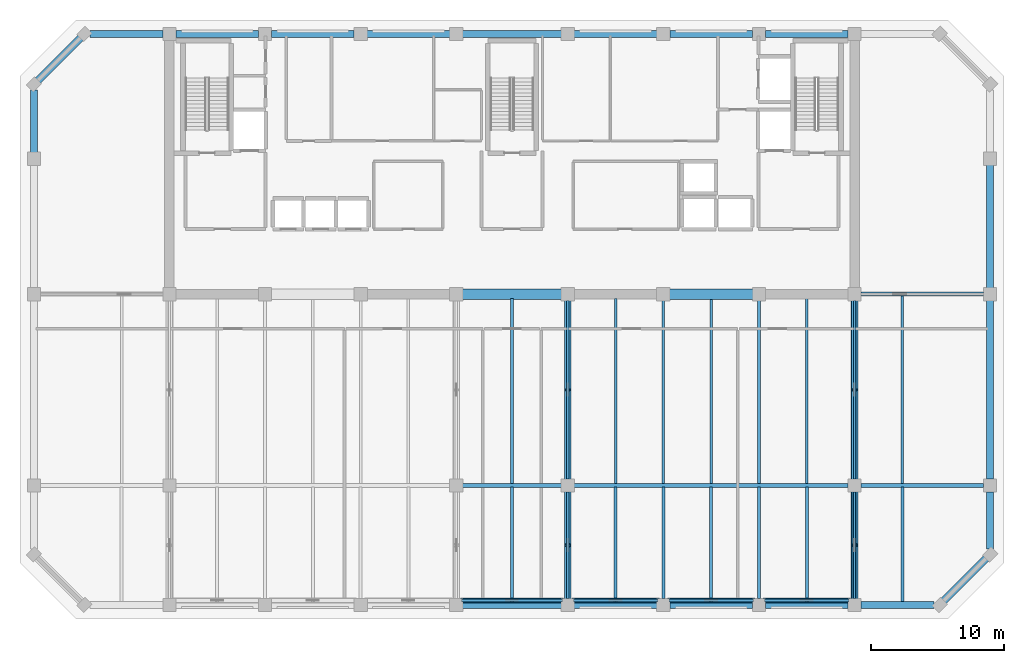
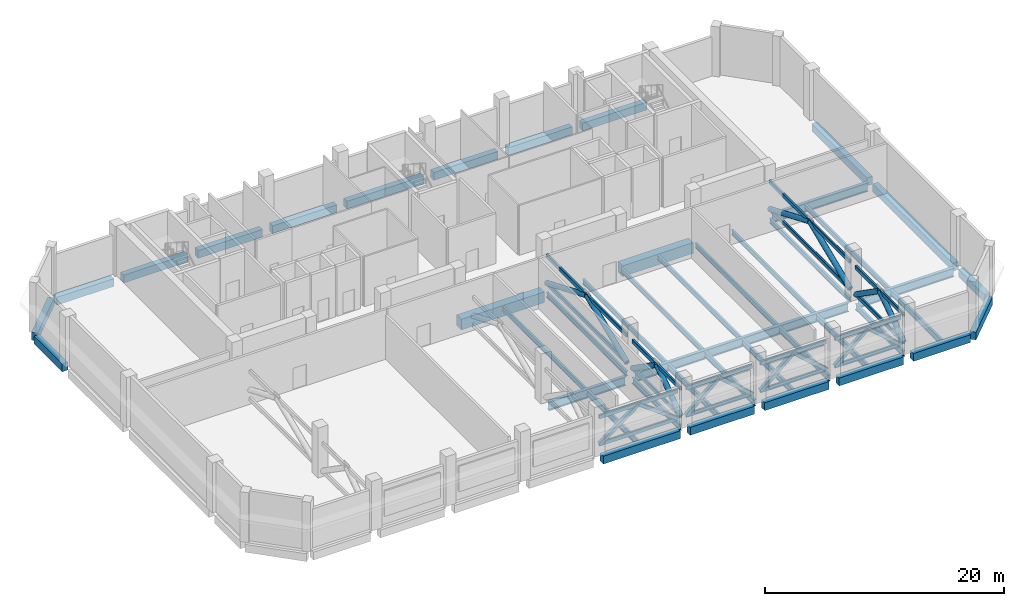
# One storey, part 2 of 11: 43 beams, 32 members.
"""IFC4 building model written with IfcOpenShell, lengths in metres."""

from ifc_helpers import new_model, si_unit, direction, frame, origin, origin_2d, place, context, subcontext, project, spatial, rectangle, hollow_rectangle, hollow_circle, i_section, extrude, material, material_profile, profile_set, type_object, element, save


model = new_model("IFC4")

# Units and contexts
model_context = context("Model", 3, precision=1e-05, world=origin(), true_north=direction((0.0, 1.0)))
body_context = subcontext(model_context, "Body", "Model", "MODEL_VIEW")
ifc_project = project(units=[si_unit("LENGTHUNIT", "METRE"), si_unit("AREAUNIT", "SQUARE_METRE"), si_unit("VOLUMEUNIT", "CUBIC_METRE"), si_unit("PLANEANGLEUNIT", "RADIAN"), si_unit("MASSUNIT", "GRAM", prefix="KILO")], contexts=[model_context])

# Site, building, storey
site_placement = place(None, origin())
site = spatial("IfcSite", under=ifc_project, at=site_placement, CompositionType="ELEMENT")
building_placement = place(site_placement, origin())
building = spatial("IfcBuilding", under=site, at=building_placement, Name="Kaelvorn Grand Hotel", CompositionType="ELEMENT")
storey_placement = place(building_placement, frame((0.0, 0.0, 280.5)))
storey = spatial("IfcBuildingStorey", under=building, at=storey_placement, Name="L69", CompositionType="ELEMENT", Elevation=280.5)

# Beams
ifc_material_1 = material(Name="Steel S460", Category="steel")
ifc_material_profile_1 = material_profile(ifc_material_1, i_section(OverallWidth=0.302001953125, OverallDepth=0.909912109375, WebThickness=0.02099609375, FlangeThickness=0.0400390625, FilletRadius=0.030029296875, at=origin_2d()), Name="HEM 900")
ifc_profile_set_1 = profile_set([ifc_material_profile_1], Name="Steel S460")
beam_type_1 = type_object("IfcBeamType", Name="BM-G-HEM900-S460", PredefinedType="BEAM", material=ifc_profile_set_1)
beam_1_placement = place(storey_placement, frame((38.284912109375, 15.0, -0.804931640625), z_axis=(1.0, 0.0, 0.0), x_axis=(0.0, 1.0, 0.0)))
element("IfcBeam", 1, at=beam_1_placement, inside=storey, type_object=beam_type_1, Name="L69 Primary Spine Steel Girder G-15 03", PredefinedType="BEAM", context=body_context, shape_type="SweptSolid", body=[
    extrude(i_section(OverallWidth=0.302001953125, OverallDepth=0.909912109375, WebThickness=0.02099609375, FlangeThickness=0.0400390625, FilletRadius=0.030029296875, at=origin_2d()), origin(), (0.0, 0.0, 1.0), 7.43017578125),
])
beam_2_placement = place(storey_placement, frame((46.68505859375, 15.0, -0.804931640625), z_axis=(1.0, 0.0, 0.0), x_axis=(0.0, 1.0, 0.0)))
element("IfcBeam", 2, at=beam_2_placement, inside=storey, type_object=beam_type_1, Name="L69 Primary Spine Steel Girder G-15 04", PredefinedType="BEAM", context=body_context, shape_type="SweptSolid", body=[
    extrude(i_section(OverallWidth=0.302001953125, OverallDepth=0.909912109375, WebThickness=0.02099609375, FlangeThickness=0.0400390625, FilletRadius=0.030029296875, at=origin_2d()), origin(), (0.0, 0.0, 1.0), 20.6298828125),
])
for number, where, z_axis, x_axis, name in (
    (3, (68.284912109375, 15.0, -0.804931640625), (1.0, 0.0, 0.0), (0.0, 1.0, 0.0), "L69 Primary Spine Steel Girder G-15 05"),
    (4, (68.284912109375, 29.39990234375, -0.804931640625), (1.0, 0.0, 0.0), (0.0, 1.0, 0.0), "L69 East Core Wing Steel Girder G-29E 01"),
):
    element("IfcBeam", number, at=place(storey_placement, frame(where, z_axis=z_axis, x_axis=x_axis)), inside=storey, type_object=beam_type_1, Name=name, PredefinedType="BEAM", context=body_context, shape_type="SweptSolid", body=[
        extrude(i_section(OverallWidth=0.302001953125, OverallDepth=0.909912109375, WebThickness=0.02099609375, FlangeThickness=0.0400390625, FilletRadius=0.030029296875, at=origin_2d()), origin(), (0.0, 0.0, 1.0), 9.22998046875),
    ])
ifc_material_2 = material(Name="Steel S355", Category="steel")
ifc_material_profile_2 = material_profile(ifc_material_2, i_section(OverallWidth=0.199951171875, OverallDepth=0.5, WebThickness=0.01025390625, FlangeThickness=0.01611328125, FilletRadius=0.02099609375, at=origin_2d()), Name="IPE 500")
ifc_profile_set_2 = profile_set([ifc_material_profile_2], Name="Steel S355")
beam_type_2 = type_object("IfcBeamType", Name="BM-J-IPE500-S355", PredefinedType="JOIST", material=ifc_profile_set_2)
beam_3_placement = place(storey_placement, frame((42.0, 15.135986328125, -0.60009765625), z_axis=(0.0, 1.0, 0.0), x_axis=(-1.0, 0.0, 0.0)))
element("IfcBeam", 5, at=beam_3_placement, inside=storey, type_object=beam_type_2, Name="L69 Composite Floor Joist JM-12", PredefinedType="JOIST", context=body_context, shape_type="SweptSolid", body=[
    extrude(i_section(OverallWidth=0.199951171875, OverallDepth=0.5, WebThickness=0.01025390625, FlangeThickness=0.01611328125, FilletRadius=0.02099609375, at=origin_2d()), origin(), (0.0, 0.0, 1.0), 13.924072265625),
])
beam_4_placement = place(storey_placement, frame((46.199951171875, 15.485107421875, -0.60009765625), z_axis=(0.0, 1.0, 0.0), x_axis=(-1.0, 0.0, 0.0)))
element("IfcBeam", 6, at=beam_4_placement, inside=storey, type_object=beam_type_2, Name="L69 Composite Floor Joist JM-13", PredefinedType="JOIST", context=body_context, shape_type="SweptSolid", body=[
    extrude(i_section(OverallWidth=0.199951171875, OverallDepth=0.5, WebThickness=0.01025390625, FlangeThickness=0.01611328125, FilletRadius=0.02099609375, at=origin_2d()), origin(), (0.0, 0.0, 1.0), 13.429931640625),
])
beam_5_placement = place(storey_placement, frame((49.800048828125, 15.135986328125, -0.60009765625), z_axis=(0.0, 1.0, 0.0), x_axis=(-1.0, 0.0, 0.0)))
element("IfcBeam", 7, at=beam_5_placement, inside=storey, type_object=beam_type_2, Name="L69 Composite Floor Joist JM-14", PredefinedType="JOIST", context=body_context, shape_type="SweptSolid", body=[
    extrude(i_section(OverallWidth=0.199951171875, OverallDepth=0.5, WebThickness=0.01025390625, FlangeThickness=0.01611328125, FilletRadius=0.02099609375, at=origin_2d()), origin(), (0.0, 0.0, 1.0), 13.924072265625),
])
beam_6_placement = place(storey_placement, frame((53.39990234375, 15.135986328125, -0.60009765625), z_axis=(0.0, 1.0, 0.0), x_axis=(-1.0, 0.0, 0.0)))
element("IfcBeam", 8, at=beam_6_placement, inside=storey, type_object=beam_type_2, Name="L69 Composite Floor Joist JM-15", PredefinedType="JOIST", context=body_context, shape_type="SweptSolid", body=[
    extrude(i_section(OverallWidth=0.199951171875, OverallDepth=0.5, WebThickness=0.01025390625, FlangeThickness=0.01611328125, FilletRadius=0.02099609375, at=origin_2d()), origin(), (0.0, 0.0, 1.0), 13.779052734375),
])
beam_7_placement = place(storey_placement, frame((57.0, 15.135986328125, -0.60009765625), z_axis=(0.0, 1.0, 0.0), x_axis=(-1.0, 0.0, 0.0)))
element("IfcBeam", 9, at=beam_7_placement, inside=storey, type_object=beam_type_2, Name="L69 Composite Floor Joist JM-16", PredefinedType="JOIST", context=body_context, shape_type="SweptSolid", body=[
    extrude(i_section(OverallWidth=0.199951171875, OverallDepth=0.5, WebThickness=0.01025390625, FlangeThickness=0.01611328125, FilletRadius=0.02099609375, at=origin_2d()), origin(), (0.0, 0.0, 1.0), 13.924072265625),
])
beam_8_placement = place(storey_placement, frame((60.60009765625, 15.135986328125, -0.60009765625), z_axis=(0.0, 1.0, 0.0), x_axis=(-1.0, 0.0, 0.0)))
element("IfcBeam", 10, at=beam_8_placement, inside=storey, type_object=beam_type_2, Name="L69 Composite Floor Joist JM-17", PredefinedType="JOIST", context=body_context, shape_type="SweptSolid", body=[
    extrude(i_section(OverallWidth=0.199951171875, OverallDepth=0.5, WebThickness=0.01025390625, FlangeThickness=0.01611328125, FilletRadius=0.02099609375, at=origin_2d()), origin(), (0.0, 0.0, 1.0), 13.779052734375),
])
beam_9_placement = place(storey_placement, frame((64.199951171875, 15.135986328125, -0.60009765625), z_axis=(0.0, 1.0, 0.0), x_axis=(-1.0, 0.0, 0.0)))
element("IfcBeam", 11, at=beam_9_placement, inside=storey, type_object=beam_type_2, Name="L69 Composite Floor Joist JM-18", PredefinedType="JOIST", context=body_context, shape_type="SweptSolid", body=[
    extrude(i_section(OverallWidth=0.199951171875, OverallDepth=0.5, WebThickness=0.01025390625, FlangeThickness=0.01611328125, FilletRadius=0.02099609375, at=origin_2d()), origin(), (0.0, 0.0, 1.0), 13.924072265625),
])
beam_10_placement = place(storey_placement, frame((67.800048828125, 15.485107421875, -0.60009765625), z_axis=(0.0, 1.0, 0.0), x_axis=(-1.0, 0.0, 0.0)))
element("IfcBeam", 12, at=beam_10_placement, inside=storey, type_object=beam_type_2, Name="L69 Composite Floor Joist JM-19", PredefinedType="JOIST", context=body_context, shape_type="SweptSolid", body=[
    extrude(i_section(OverallWidth=0.199951171875, OverallDepth=0.5, WebThickness=0.01025390625, FlangeThickness=0.01611328125, FilletRadius=0.02099609375, at=origin_2d()), origin(), (0.0, 0.0, 1.0), 13.429931640625),
])
beam_11_placement = place(storey_placement, frame((71.39990234375, 15.135986328125, -0.60009765625), z_axis=(0.0, 1.0, 0.0), x_axis=(-1.0, 0.0, 0.0)))
element("IfcBeam", 13, at=beam_11_placement, inside=storey, type_object=beam_type_2, Name="L69 Composite Floor Joist JM-20", PredefinedType="JOIST", context=body_context, shape_type="SweptSolid", body=[
    extrude(i_section(OverallWidth=0.199951171875, OverallDepth=0.5, WebThickness=0.01025390625, FlangeThickness=0.01611328125, FilletRadius=0.02099609375, at=origin_2d()), origin(), (0.0, 0.0, 1.0), 14.1279296875),
])
ifc_material_profile_3 = material_profile(ifc_material_2, i_section(OverallWidth=0.219970703125, OverallDepth=0.60009765625, WebThickness=0.011962890625, FlangeThickness=0.01904296875, FilletRadius=0.02392578125, at=origin_2d()), Name="IPE 600")
ifc_profile_set_3 = profile_set([ifc_material_profile_3], Name="Steel S355")
beam_type_3 = type_object("IfcBeamType", Name="BM-J-IPE600-S355", PredefinedType="JOIST", material=ifc_profile_set_3)
beam_12_placement = place(storey_placement, frame((42.0, 6.260009765625, -0.64990234375), z_axis=(0.0, 1.0, 0.0), x_axis=(-1.0, 0.0, 0.0)))
element("IfcBeam", 14, at=beam_12_placement, inside=storey, type_object=beam_type_3, Name="L69 Composite Floor Joist JS-12", PredefinedType="JOIST", context=body_context, shape_type="SweptSolid", body=[
    extrude(i_section(OverallWidth=0.219970703125, OverallDepth=0.60009765625, WebThickness=0.011962890625, FlangeThickness=0.01904296875, FilletRadius=0.02392578125, at=origin_2d()), origin(), (0.0, 0.0, 1.0), 8.60400390625),
])
beam_13_placement = place(storey_placement, frame((46.199951171875, 6.485107421875, -0.64990234375), z_axis=(0.0, 1.0, 0.0), x_axis=(-1.0, 0.0, 0.0)))
element("IfcBeam", 15, at=beam_13_placement, inside=storey, type_object=beam_type_3, Name="L69 Composite Floor Joist JS-13", PredefinedType="JOIST", context=body_context, shape_type="SweptSolid", body=[
    extrude(i_section(OverallWidth=0.219970703125, OverallDepth=0.60009765625, WebThickness=0.011962890625, FlangeThickness=0.01904296875, FilletRadius=0.02392578125, at=origin_2d()), origin(), (0.0, 0.0, 1.0), 8.02978515625),
])
beam_14_placement = place(storey_placement, frame((49.800048828125, 6.260009765625, -0.64990234375), z_axis=(0.0, 1.0, 0.0), x_axis=(-1.0, 0.0, 0.0)))
element("IfcBeam", 16, at=beam_14_placement, inside=storey, type_object=beam_type_3, Name="L69 Composite Floor Joist JS-14", PredefinedType="JOIST", context=body_context, shape_type="SweptSolid", body=[
    extrude(i_section(OverallWidth=0.219970703125, OverallDepth=0.60009765625, WebThickness=0.011962890625, FlangeThickness=0.01904296875, FilletRadius=0.02392578125, at=origin_2d()), origin(), (0.0, 0.0, 1.0), 8.60400390625),
])
beam_15_placement = place(storey_placement, frame((53.39990234375, 6.485107421875, -0.64990234375), z_axis=(0.0, 1.0, 0.0), x_axis=(-1.0, 0.0, 0.0)))
element("IfcBeam", 17, at=beam_15_placement, inside=storey, type_object=beam_type_3, Name="L69 Composite Floor Joist JS-15", PredefinedType="JOIST", context=body_context, shape_type="SweptSolid", body=[
    extrude(i_section(OverallWidth=0.219970703125, OverallDepth=0.60009765625, WebThickness=0.011962890625, FlangeThickness=0.01904296875, FilletRadius=0.02392578125, at=origin_2d()), origin(), (0.0, 0.0, 1.0), 8.37890625),
])
beam_16_placement = place(storey_placement, frame((57.0, 6.260009765625, -0.64990234375), z_axis=(0.0, 1.0, 0.0), x_axis=(-1.0, 0.0, 0.0)))
element("IfcBeam", 18, at=beam_16_placement, inside=storey, type_object=beam_type_3, Name="L69 Composite Floor Joist JS-16", PredefinedType="JOIST", context=body_context, shape_type="SweptSolid", body=[
    extrude(i_section(OverallWidth=0.219970703125, OverallDepth=0.60009765625, WebThickness=0.011962890625, FlangeThickness=0.01904296875, FilletRadius=0.02392578125, at=origin_2d()), origin(), (0.0, 0.0, 1.0), 8.60400390625),
])
beam_17_placement = place(storey_placement, frame((60.60009765625, 6.485107421875, -0.64990234375), z_axis=(0.0, 1.0, 0.0), x_axis=(-1.0, 0.0, 0.0)))
element("IfcBeam", 19, at=beam_17_placement, inside=storey, type_object=beam_type_3, Name="L69 Composite Floor Joist JS-17", PredefinedType="JOIST", context=body_context, shape_type="SweptSolid", body=[
    extrude(i_section(OverallWidth=0.219970703125, OverallDepth=0.60009765625, WebThickness=0.011962890625, FlangeThickness=0.01904296875, FilletRadius=0.02392578125, at=origin_2d()), origin(), (0.0, 0.0, 1.0), 8.37890625),
])
beam_18_placement = place(storey_placement, frame((64.199951171875, 6.260009765625, -0.64990234375), z_axis=(0.0, 1.0, 0.0), x_axis=(-1.0, 0.0, 0.0)))
element("IfcBeam", 20, at=beam_18_placement, inside=storey, type_object=beam_type_3, Name="L69 Composite Floor Joist JS-18", PredefinedType="JOIST", context=body_context, shape_type="SweptSolid", body=[
    extrude(i_section(OverallWidth=0.219970703125, OverallDepth=0.60009765625, WebThickness=0.011962890625, FlangeThickness=0.01904296875, FilletRadius=0.02392578125, at=origin_2d()), origin(), (0.0, 0.0, 1.0), 8.60400390625),
])
beam_19_placement = place(storey_placement, frame((67.800048828125, 6.485107421875, -0.64990234375), z_axis=(0.0, 1.0, 0.0), x_axis=(-1.0, 0.0, 0.0)))
element("IfcBeam", 21, at=beam_19_placement, inside=storey, type_object=beam_type_3, Name="L69 Composite Floor Joist JS-19", PredefinedType="JOIST", context=body_context, shape_type="SweptSolid", body=[
    extrude(i_section(OverallWidth=0.219970703125, OverallDepth=0.60009765625, WebThickness=0.011962890625, FlangeThickness=0.01904296875, FilletRadius=0.02392578125, at=origin_2d()), origin(), (0.0, 0.0, 1.0), 8.02978515625),
])
beam_20_placement = place(storey_placement, frame((71.39990234375, 6.260009765625, -0.64990234375), z_axis=(0.0, 1.0, 0.0), x_axis=(-1.0, 0.0, 0.0)))
element("IfcBeam", 22, at=beam_20_placement, inside=storey, type_object=beam_type_3, Name="L69 Composite Floor Joist JS-20", PredefinedType="JOIST", context=body_context, shape_type="SweptSolid", body=[
    extrude(i_section(OverallWidth=0.219970703125, OverallDepth=0.60009765625, WebThickness=0.011962890625, FlangeThickness=0.01904296875, FilletRadius=0.02392578125, at=origin_2d()), origin(), (0.0, 0.0, 1.0), 8.60400390625),
])
ifc_material_3 = material(Name="Concrete C60/75", Category="concrete")
ifc_material_profile_4 = material_profile(ifc_material_3, rectangle(XDim=0.800048828125, YDim=1.10009765625, at=origin_2d()), Name="RC LINTEL 800x1100")
ifc_profile_set_4 = profile_set([ifc_material_profile_4], Name="Concrete C60/75")
beam_type_4 = type_object("IfcBeamType", Name="BM-LIN-800x1100-C60", PredefinedType="LINTEL", material=ifc_profile_set_4)
beam_21_placement = place(storey_placement, frame((37.97998046875, 29.39990234375, -0.89990234375), z_axis=(1.0, 0.0, 0.0), x_axis=(0.0, 1.0, 0.0)))
element("IfcBeam", 23, at=beam_21_placement, inside=storey, type_object=beam_type_4, Name="L69 Rear-Core Coupling Lintel Beam CB1-02", PredefinedType="LINTEL", context=body_context, shape_type="SweptSolid", body=[
    extrude(rectangle(XDim=0.800048828125, YDim=1.10009765625, at=origin_2d()), origin(), (0.0, 0.0, 1.0), 8.0400390625),
])
beam_22_placement = place(storey_placement, frame((53.580078125, 29.39990234375, -0.89990234375), z_axis=(1.0, 0.0, 0.0), x_axis=(0.0, 1.0, 0.0)))
element("IfcBeam", 24, at=beam_22_placement, inside=storey, type_object=beam_type_4, Name="L69 Rear-Core Coupling Lintel Beam CB1-03", PredefinedType="LINTEL", context=body_context, shape_type="SweptSolid", body=[
    extrude(rectangle(XDim=0.800048828125, YDim=1.10009765625, at=origin_2d()), origin(), (0.0, 0.0, 1.0), 6.83984375),
])
ifc_material_4 = material(Name="Concrete C50/60", Category="concrete")
ifc_material_profile_5 = material_profile(ifc_material_4, rectangle(XDim=0.550048828125, YDim=0.800048828125, at=origin_2d()), Name="RC SPANDREL 550x800")
ifc_profile_set_5 = profile_set([ifc_material_profile_5], Name="Concrete C50/60")
beam_type_5 = type_object("IfcBeamType", Name="BM-SP-550x800-C50", PredefinedType="SPANDREL", material=ifc_profile_set_5)
beam_23_placement = place(storey_placement, frame((38.284912109375, 6.0, -0.75), z_axis=(1.0, 0.0, 0.0), x_axis=(0.0, 1.0, 0.0)))
element("IfcBeam", 25, at=beam_23_placement, inside=storey, type_object=beam_type_5, Name="L69 South Perimeter Spandrel 05", PredefinedType="SPANDREL", context=body_context, shape_type="SweptSolid", body=[
    extrude(rectangle(XDim=0.550048828125, YDim=0.800048828125, at=origin_2d()), origin(), (0.0, 0.0, 1.0), 7.43017578125),
])
for number, where, z_axis, x_axis, name in (
    (26, (46.68505859375, 6.0, -0.75), (1.0, 0.0, 0.0), (0.0, 1.0, 0.0), "L69 South Perimeter Spandrel 06"),
    (27, (53.885009765625, 6.0, -0.75), (1.0, 0.0, 0.0), (0.0, 1.0, 0.0), "L69 South Perimeter Spandrel 07"),
    (28, (61.0849609375, 6.0, -0.75), (1.0, 0.0, 0.0), (0.0, 1.0, 0.0), "L69 South Perimeter Spandrel 08"),
):
    element("IfcBeam", number, at=place(storey_placement, frame(where, z_axis=z_axis, x_axis=x_axis)), inside=storey, type_object=beam_type_5, Name=name, PredefinedType="SPANDREL", context=body_context, shape_type="SweptSolid", body=[
        extrude(rectangle(XDim=0.550048828125, YDim=0.800048828125, at=origin_2d()), origin(), (0.0, 0.0, 1.0), 6.22998046875),
    ])
for number, where, z_axis, x_axis, name in (
    (29, (68.284912109375, 6.0, -0.75), (1.0, 0.0, 0.0), (0.0, 1.0, 0.0), "L69 South Perimeter Spandrel 09"),
    (30, (10.205078125, 49.0, -0.75), (1.0, 0.0, 0.0), (0.0, 1.0, 0.0), "L69 North Perimeter Spandrel 01"),
):
    element("IfcBeam", number, at=place(storey_placement, frame(where, z_axis=z_axis, x_axis=x_axis)), inside=storey, type_object=beam_type_5, Name=name, PredefinedType="SPANDREL", context=body_context, shape_type="SweptSolid", body=[
        extrude(rectangle(XDim=0.550048828125, YDim=0.800048828125, at=origin_2d()), origin(), (0.0, 0.0, 1.0), 5.510009765625),
    ])
for number, where, z_axis, x_axis, name in (
    (31, (16.68505859375, 49.0, -0.75), (1.0, 0.0, 0.0), (0.0, 1.0, 0.0), "L69 North Perimeter Spandrel 02"),
    (32, (23.885009765625, 49.0, -0.75), (1.0, 0.0, 0.0), (0.0, 1.0, 0.0), "L69 North Perimeter Spandrel 03"),
    (33, (31.0849609375, 49.0, -0.75), (1.0, 0.0, 0.0), (0.0, 1.0, 0.0), "L69 North Perimeter Spandrel 04"),
):
    element("IfcBeam", number, at=place(storey_placement, frame(where, z_axis=z_axis, x_axis=x_axis)), inside=storey, type_object=beam_type_5, Name=name, PredefinedType="SPANDREL", context=body_context, shape_type="SweptSolid", body=[
        extrude(rectangle(XDim=0.550048828125, YDim=0.800048828125, at=origin_2d()), origin(), (0.0, 0.0, 1.0), 6.22998046875),
    ])
beam_24_placement = place(storey_placement, frame((38.284912109375, 49.0, -0.75), z_axis=(1.0, 0.0, 0.0), x_axis=(0.0, 1.0, 0.0)))
element("IfcBeam", 34, at=beam_24_placement, inside=storey, type_object=beam_type_5, Name="L69 North Perimeter Spandrel 05", PredefinedType="SPANDREL", context=body_context, shape_type="SweptSolid", body=[
    extrude(rectangle(XDim=0.550048828125, YDim=0.800048828125, at=origin_2d()), origin(), (0.0, 0.0, 1.0), 7.43017578125),
])
for number, where, z_axis, x_axis, name in (
    (35, (46.68505859375, 49.0, -0.75), (1.0, 0.0, 0.0), (0.0, 1.0, 0.0), "L69 North Perimeter Spandrel 06"),
    (36, (53.885009765625, 49.0, -0.75), (1.0, 0.0, 0.0), (0.0, 1.0, 0.0), "L69 North Perimeter Spandrel 07"),
    (37, (61.0849609375, 49.0, -0.75), (1.0, 0.0, 0.0), (0.0, 1.0, 0.0), "L69 North Perimeter Spandrel 08"),
):
    element("IfcBeam", number, at=place(storey_placement, frame(where, z_axis=z_axis, x_axis=x_axis)), inside=storey, type_object=beam_type_5, Name=name, PredefinedType="SPANDREL", context=body_context, shape_type="SweptSolid", body=[
        extrude(rectangle(XDim=0.550048828125, YDim=0.800048828125, at=origin_2d()), origin(), (0.0, 0.0, 1.0), 6.22998046875),
    ])
beam_25_placement = place(storey_placement, frame((6.0, 40.0849609375, -0.75), z_axis=(0.0, 1.0, 0.0), x_axis=(-1.0, 0.0, 0.0)))
element("IfcBeam", 38, at=beam_25_placement, inside=storey, type_object=beam_type_5, Name="L69 West Perimeter Spandrel 04", PredefinedType="SPANDREL", context=body_context, shape_type="SweptSolid", body=[
    extrude(rectangle(XDim=0.550048828125, YDim=0.800048828125, at=origin_2d()), origin(), (0.0, 0.0, 1.0), 4.7099609375),
])
beam_26_placement = place(storey_placement, frame((78.0, 10.205078125, -0.75), z_axis=(0.0, 1.0, 0.0), x_axis=(-1.0, 0.0, 0.0)))
element("IfcBeam", 39, at=beam_26_placement, inside=storey, type_object=beam_type_5, Name="L69 East Perimeter Spandrel 01", PredefinedType="SPANDREL", context=body_context, shape_type="SweptSolid", body=[
    extrude(rectangle(XDim=0.550048828125, YDim=0.800048828125, at=origin_2d()), origin(), (0.0, 0.0, 1.0), 4.309814453125),
])
beam_27_placement = place(storey_placement, frame((78.0, 15.485107421875, -0.75), z_axis=(0.0, 1.0, 0.0), x_axis=(-1.0, 0.0, 0.0)))
element("IfcBeam", 40, at=beam_27_placement, inside=storey, type_object=beam_type_5, Name="L69 East Perimeter Spandrel 02", PredefinedType="SPANDREL", context=body_context, shape_type="SweptSolid", body=[
    extrude(rectangle(XDim=0.550048828125, YDim=0.800048828125, at=origin_2d()), origin(), (0.0, 0.0, 1.0), 13.429931640625),
])
beam_28_placement = place(storey_placement, frame((78.0, 29.885009765625, -0.75), z_axis=(0.0, 1.0, 0.0), x_axis=(-1.0, 0.0, 0.0)))
element("IfcBeam", 41, at=beam_28_placement, inside=storey, type_object=beam_type_5, Name="L69 East Perimeter Spandrel 03", PredefinedType="SPANDREL", context=body_context, shape_type="SweptSolid", body=[
    extrude(rectangle(XDim=0.550048828125, YDim=0.800048828125, at=origin_2d()), origin(), (0.0, 0.0, 1.0), 9.22998046875),
])
for number, where, z_axis, x_axis, name in (
    (42, (74.199951171875, 6.0, -0.75), (0.707106781187, 0.707106781187, 0.0), (-0.707106781187, 0.707106781187, 0.0), "L69 Chamfer Spandrel Beam 1"),
    (43, (9.800048828125, 49.0, -0.75), (-0.707106781187, -0.707106781187, 0.0), (0.707106781187, -0.707106781187, 0.0), "L69 Chamfer Spandrel Beam 3"),
):
    element("IfcBeam", number, at=place(storey_placement, frame(where, z_axis=z_axis, x_axis=x_axis)), inside=storey, type_object=beam_type_5, Name=name, PredefinedType="SPANDREL", context=body_context, shape_type="SweptSolid", body=[
        extrude(rectangle(XDim=0.550048828125, YDim=0.800048828125, at=origin_2d()), origin(), (0.0, 0.0, 1.0), 5.3740234375),
    ])

# Members
ifc_material_profile_6 = material_profile(ifc_material_1, hollow_rectangle(XDim=0.35009765625, YDim=0.35009765625, WallThickness=0.01611328125, InnerFilletRadius=0.01611328125, OuterFilletRadius=0.031982421875, at=origin_2d()), Name="SHS 350x350x16.0")
ifc_profile_set_6 = profile_set([ifc_material_profile_6], Name="Steel S460")
member_type_1 = type_object("IfcMemberType", Name="MB-BT-BRACE-SHS350", PredefinedType="BRACE", material=ifc_profile_set_6)
for number, where, z_axis, x_axis, name in (
    (44, (38.215087890625, 6.340087890625, 0.550048828125), (0.803921733132, 0.0, 0.594735106579), (0.0, 1.0, 0.0), "L69 Belt Truss Brace L4"),
    (45, (42.0, 6.340087890625, 3.35009765625), (0.803921733132, 0.0, -0.594735106579), (0.0, 1.0, 0.0), "L69 Belt Truss Brace R4"),
):
    element("IfcMember", number, at=place(storey_placement, frame(where, z_axis=z_axis, x_axis=x_axis)), inside=storey, type_object=member_type_1, Name=name, PredefinedType="BRACE", context=body_context, shape_type="SweptSolid", body=[
        extrude(hollow_rectangle(XDim=0.35009765625, YDim=0.35009765625, WallThickness=0.01611328125, InnerFilletRadius=0.01611328125, OuterFilletRadius=0.031982421875, at=origin_2d()), origin(), (0.0, 0.0, 1.0), 4.7080078125),
    ])
for number, where, z_axis, x_axis, name in (
    (46, (46.614990234375, 6.340087890625, 0.550048828125), (0.751041187139, 0.0, 0.660255356071), (0.0, 1.0, 0.0), "L69 Belt Truss Brace L5"),
    (47, (49.800048828125, 6.340087890625, 3.35009765625), (0.751041187139, 0.0, -0.660255356071), (0.0, 1.0, 0.0), "L69 Belt Truss Brace R5"),
    (48, (53.81494140625, 6.340087890625, 0.550048828125), (0.751041187139, 0.0, 0.660255356071), (0.0, 1.0, 0.0), "L69 Belt Truss Brace L6"),
    (49, (57.0, 6.340087890625, 3.35009765625), (0.751041187139, 0.0, -0.660255356071), (0.0, 1.0, 0.0), "L69 Belt Truss Brace R6"),
    (50, (61.014892578125, 6.340087890625, 0.550048828125), (0.751041187139, 0.0, 0.660255356071), (0.0, 1.0, 0.0), "L69 Belt Truss Brace L7"),
    (51, (64.199951171875, 6.340087890625, 3.35009765625), (0.751041187139, 0.0, -0.660255356071), (0.0, 1.0, 0.0), "L69 Belt Truss Brace R7"),
):
    element("IfcMember", number, at=place(storey_placement, frame(where, z_axis=z_axis, x_axis=x_axis)), inside=storey, type_object=member_type_1, Name=name, PredefinedType="BRACE", context=body_context, shape_type="SweptSolid", body=[
        extrude(hollow_rectangle(XDim=0.35009765625, YDim=0.35009765625, WallThickness=0.01611328125, InnerFilletRadius=0.01611328125, OuterFilletRadius=0.031982421875, at=origin_2d()), origin(), (0.0, 0.0, 1.0), 4.240966796875),
    ])
ifc_material_profile_7 = material_profile(ifc_material_1, hollow_circle(Radius=0.25390625, WallThickness=0.02490234375, at=origin_2d()), Name="CHS 508.0x25.0")
ifc_profile_set_7 = profile_set([ifc_material_profile_7], Name="Steel S460")
member_type_2 = type_object("IfcMemberType", Name="MB-OR-BRACE-CHS508", PredefinedType="BRACE", material=ifc_profile_set_7)
for number, where, z_axis, x_axis, name in (
    (52, (46.199951171875, 6.485107421875, 0.550048828125), (0.0, 0.820226550638, 0.572038814792), (-1.0, 0.0, 0.0), "L69 Outrigger Brace Diagonal A3.1"),
    (53, (46.199951171875, 10.5, 3.35009765625), (0.0, 0.820226550638, -0.572038814792), (-1.0, 0.0, 0.0), "L69 Outrigger Brace Diagonal B3.1"),
):
    element("IfcMember", number, at=place(storey_placement, frame(where, z_axis=z_axis, x_axis=x_axis)), inside=storey, type_object=member_type_2, Name=name, PredefinedType="BRACE", context=body_context, shape_type="SweptSolid", body=[
        extrude(hollow_circle(Radius=0.25390625, WallThickness=0.02490234375, at=origin_2d()), origin(), (0.0, 0.0, 1.0), 4.894775390625),
    ])
member_1_placement = place(storey_placement, frame((46.199951171875, 15.485107421875, 0.550048828125), z_axis=(0.0, 0.922969661572, 0.38487271119), x_axis=(-1.0, 0.0, 0.0)))
element("IfcMember", 54, at=member_1_placement, inside=storey, type_object=member_type_2, Name="L69 Outrigger Brace Diagonal A3.2", PredefinedType="BRACE", context=body_context, shape_type="SweptSolid", body=[
    extrude(hollow_circle(Radius=0.25390625, WallThickness=0.02490234375, at=origin_2d()), origin(), (0.0, 0.0, 1.0), 7.275146484375),
])
member_2_placement = place(storey_placement, frame((46.199951171875, 22.199951171875, 3.35009765625), z_axis=(0.0, 0.922974632135, -0.384860790982), x_axis=(-1.0, 0.0, 0.0)))
element("IfcMember", 55, at=member_2_placement, inside=storey, type_object=member_type_2, Name="L69 Outrigger Brace Diagonal B3.2", PredefinedType="BRACE", context=body_context, shape_type="SweptSolid", body=[
    extrude(hollow_circle(Radius=0.25390625, WallThickness=0.02490234375, at=origin_2d()), origin(), (0.0, 0.0, 1.0), 7.275390625),
])
for number, where, z_axis, x_axis, name in (
    (56, (67.800048828125, 6.485107421875, 0.550048828125), (0.0, 0.820226550638, 0.572038814792), (-1.0, 0.0, 0.0), "L69 Outrigger Brace Diagonal A4.1"),
    (57, (67.800048828125, 10.5, 3.35009765625), (0.0, 0.820226550638, -0.572038814792), (-1.0, 0.0, 0.0), "L69 Outrigger Brace Diagonal B4.1"),
):
    element("IfcMember", number, at=place(storey_placement, frame(where, z_axis=z_axis, x_axis=x_axis)), inside=storey, type_object=member_type_2, Name=name, PredefinedType="BRACE", context=body_context, shape_type="SweptSolid", body=[
        extrude(hollow_circle(Radius=0.25390625, WallThickness=0.02490234375, at=origin_2d()), origin(), (0.0, 0.0, 1.0), 4.894775390625),
    ])
member_3_placement = place(storey_placement, frame((67.800048828125, 15.485107421875, 0.550048828125), z_axis=(0.0, 0.922969661572, 0.38487271119), x_axis=(-1.0, 0.0, 0.0)))
element("IfcMember", 58, at=member_3_placement, inside=storey, type_object=member_type_2, Name="L69 Outrigger Brace Diagonal A4.2", PredefinedType="BRACE", context=body_context, shape_type="SweptSolid", body=[
    extrude(hollow_circle(Radius=0.25390625, WallThickness=0.02490234375, at=origin_2d()), origin(), (0.0, 0.0, 1.0), 7.275146484375),
])
member_4_placement = place(storey_placement, frame((67.800048828125, 22.199951171875, 3.35009765625), z_axis=(0.0, 0.922974632135, -0.384860790982), x_axis=(-1.0, 0.0, 0.0)))
element("IfcMember", 59, at=member_4_placement, inside=storey, type_object=member_type_2, Name="L69 Outrigger Brace Diagonal B4.2", PredefinedType="BRACE", context=body_context, shape_type="SweptSolid", body=[
    extrude(hollow_circle(Radius=0.25390625, WallThickness=0.02490234375, at=origin_2d()), origin(), (0.0, 0.0, 1.0), 7.275390625),
])
ifc_material_profile_8 = material_profile(ifc_material_1, hollow_rectangle(XDim=0.199951171875, YDim=0.39990234375, WallThickness=0.01611328125, InnerFilletRadius=0.01611328125, OuterFilletRadius=0.031982421875, at=origin_2d()), Name="RHS 400x200x16.0")
ifc_profile_set_8 = profile_set([ifc_material_profile_8], Name="Steel S460")
member_type_3 = type_object("IfcMemberType", Name="MB-OR-CHORD-RHS400", PredefinedType="CHORD", material=ifc_profile_set_8)
for number, where, z_axis, x_axis, name in (
    (60, (46.199951171875, 6.485107421875, 0.550048828125), (0.0, 1.0, 0.0), (-1.0, 0.0, 0.0), "L69 Outrigger Bottom Chord OC-3.1"),
    (61, (46.199951171875, 6.485107421875, 3.35009765625), (0.0, 1.0, 0.0), (-1.0, 0.0, 0.0), "L69 Outrigger Top Chord OC-3.1"),
):
    element("IfcMember", number, at=place(storey_placement, frame(where, z_axis=z_axis, x_axis=x_axis)), inside=storey, type_object=member_type_3, Name=name, PredefinedType="CHORD", context=body_context, shape_type="SweptSolid", body=[
        extrude(hollow_rectangle(XDim=0.199951171875, YDim=0.39990234375, WallThickness=0.01611328125, InnerFilletRadius=0.01611328125, OuterFilletRadius=0.031982421875, at=origin_2d()), origin(), (0.0, 0.0, 1.0), 8.02978515625),
    ])
for number, where, z_axis, x_axis, name in (
    (62, (46.199951171875, 15.485107421875, 0.550048828125), (0.0, 1.0, 0.0), (-1.0, 0.0, 0.0), "L69 Outrigger Bottom Chord OC-3.2"),
    (63, (46.199951171875, 15.485107421875, 3.35009765625), (0.0, 1.0, 0.0), (-1.0, 0.0, 0.0), "L69 Outrigger Top Chord OC-3.2"),
):
    element("IfcMember", number, at=place(storey_placement, frame(where, z_axis=z_axis, x_axis=x_axis)), inside=storey, type_object=member_type_3, Name=name, PredefinedType="CHORD", context=body_context, shape_type="SweptSolid", body=[
        extrude(hollow_rectangle(XDim=0.199951171875, YDim=0.39990234375, WallThickness=0.01611328125, InnerFilletRadius=0.01611328125, OuterFilletRadius=0.031982421875, at=origin_2d()), origin(), (0.0, 0.0, 1.0), 13.429931640625),
    ])
for number, where, z_axis, x_axis, name in (
    (64, (67.800048828125, 6.485107421875, 0.550048828125), (0.0, 1.0, 0.0), (-1.0, 0.0, 0.0), "L69 Outrigger Bottom Chord OC-4.1"),
    (65, (67.800048828125, 6.485107421875, 3.35009765625), (0.0, 1.0, 0.0), (-1.0, 0.0, 0.0), "L69 Outrigger Top Chord OC-4.1"),
):
    element("IfcMember", number, at=place(storey_placement, frame(where, z_axis=z_axis, x_axis=x_axis)), inside=storey, type_object=member_type_3, Name=name, PredefinedType="CHORD", context=body_context, shape_type="SweptSolid", body=[
        extrude(hollow_rectangle(XDim=0.199951171875, YDim=0.39990234375, WallThickness=0.01611328125, InnerFilletRadius=0.01611328125, OuterFilletRadius=0.031982421875, at=origin_2d()), origin(), (0.0, 0.0, 1.0), 8.02978515625),
    ])
for number, where, z_axis, x_axis, name in (
    (66, (67.800048828125, 15.485107421875, 0.550048828125), (0.0, 1.0, 0.0), (-1.0, 0.0, 0.0), "L69 Outrigger Bottom Chord OC-4.2"),
    (67, (67.800048828125, 15.485107421875, 3.35009765625), (0.0, 1.0, 0.0), (-1.0, 0.0, 0.0), "L69 Outrigger Top Chord OC-4.2"),
):
    element("IfcMember", number, at=place(storey_placement, frame(where, z_axis=z_axis, x_axis=x_axis)), inside=storey, type_object=member_type_3, Name=name, PredefinedType="CHORD", context=body_context, shape_type="SweptSolid", body=[
        extrude(hollow_rectangle(XDim=0.199951171875, YDim=0.39990234375, WallThickness=0.01611328125, InnerFilletRadius=0.01611328125, OuterFilletRadius=0.031982421875, at=origin_2d()), origin(), (0.0, 0.0, 1.0), 13.429931640625),
    ])
for number, where, z_axis, x_axis, name in (
    (68, (38.215087890625, 6.340087890625, 0.550048828125), (1.0, 0.0, 0.0), (0.0, 1.0, 0.0), "L69 Belt Truss Bottom Chord 4"),
    (69, (38.215087890625, 6.340087890625, 3.35009765625), (1.0, 0.0, 0.0), (0.0, 1.0, 0.0), "L69 Belt Truss Top Chord 4"),
):
    element("IfcMember", number, at=place(storey_placement, frame(where, z_axis=z_axis, x_axis=x_axis)), inside=storey, type_object=member_type_3, Name=name, PredefinedType="CHORD", context=body_context, shape_type="SweptSolid", body=[
        extrude(hollow_rectangle(XDim=0.199951171875, YDim=0.39990234375, WallThickness=0.01611328125, InnerFilletRadius=0.01611328125, OuterFilletRadius=0.031982421875, at=origin_2d()), origin(), (0.0, 0.0, 1.0), 7.56982421875),
    ])
for number, where, z_axis, x_axis, name in (
    (70, (46.614990234375, 6.340087890625, 0.550048828125), (1.0, 0.0, 0.0), (0.0, 1.0, 0.0), "L69 Belt Truss Bottom Chord 5"),
    (71, (46.614990234375, 6.340087890625, 3.35009765625), (1.0, 0.0, 0.0), (0.0, 1.0, 0.0), "L69 Belt Truss Top Chord 5"),
    (72, (53.81494140625, 6.340087890625, 0.550048828125), (1.0, 0.0, 0.0), (0.0, 1.0, 0.0), "L69 Belt Truss Bottom Chord 6"),
    (73, (53.81494140625, 6.340087890625, 3.35009765625), (1.0, 0.0, 0.0), (0.0, 1.0, 0.0), "L69 Belt Truss Top Chord 6"),
    (74, (61.014892578125, 6.340087890625, 0.550048828125), (1.0, 0.0, 0.0), (0.0, 1.0, 0.0), "L69 Belt Truss Bottom Chord 7"),
    (75, (61.014892578125, 6.340087890625, 3.35009765625), (1.0, 0.0, 0.0), (0.0, 1.0, 0.0), "L69 Belt Truss Top Chord 7"),
):
    element("IfcMember", number, at=place(storey_placement, frame(where, z_axis=z_axis, x_axis=x_axis)), inside=storey, type_object=member_type_3, Name=name, PredefinedType="CHORD", context=body_context, shape_type="SweptSolid", body=[
        extrude(hollow_rectangle(XDim=0.199951171875, YDim=0.39990234375, WallThickness=0.01611328125, InnerFilletRadius=0.01611328125, OuterFilletRadius=0.031982421875, at=origin_2d()), origin(), (0.0, 0.0, 1.0), 6.3701171875),
    ])

save(model, "model.ifc")
